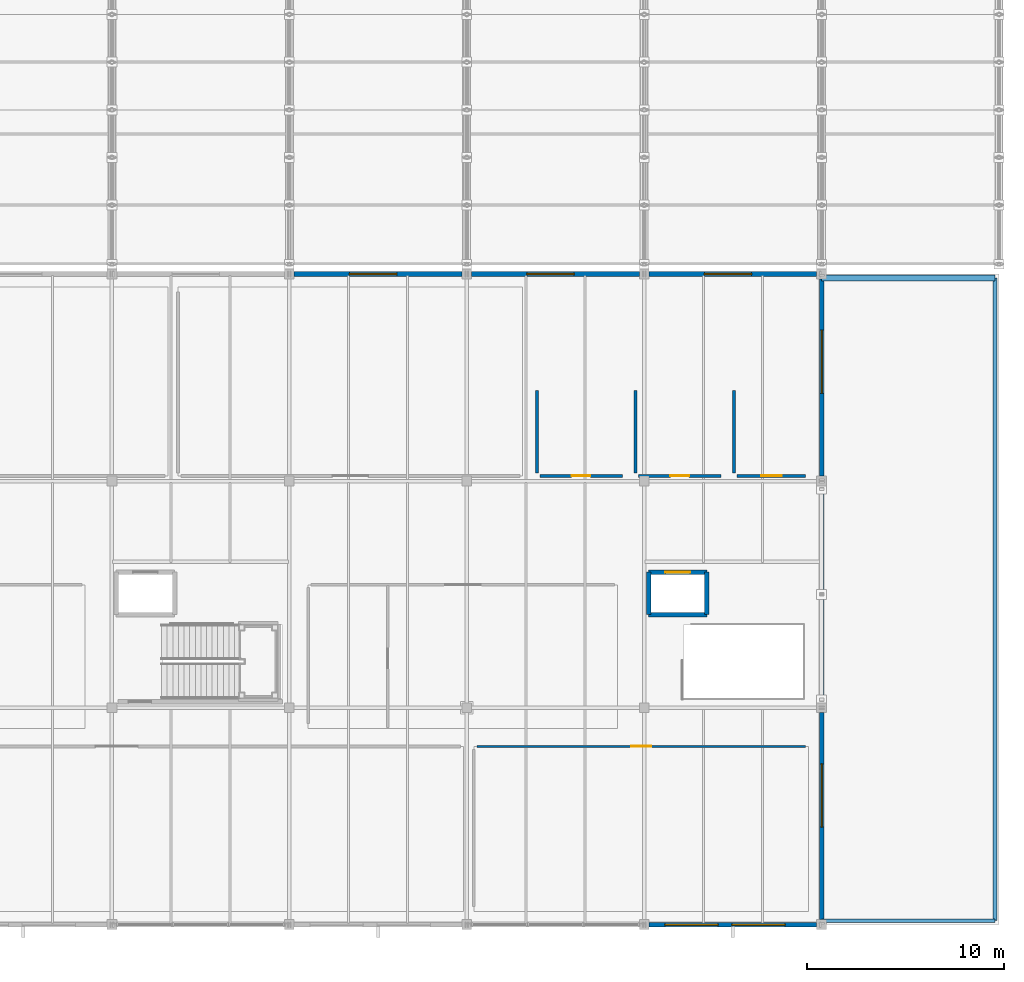
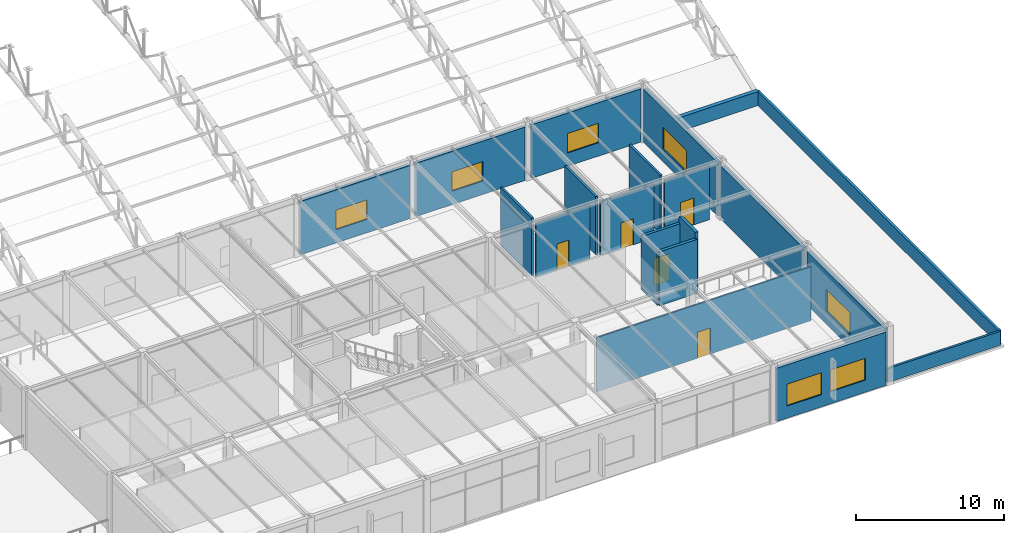
# One storey, part 114 of 195: 21 walls, 7 windows, 5 doors, 12 openings.
"""IFC4 building model written with IfcOpenShell, lengths in metres."""

from ifc_helpers import new_model, si_unit, direction, frame, frame_2d, origin, place, context, subcontext, project, spatial, rectangle, extrude, material, layer, layer_set, type_object, element, fill, save


model = new_model("IFC4")

# Units and contexts
model_context = context("Model", 3, precision=1e-05, world=origin(), true_north=direction((0.0, 1.0)))
body_context = subcontext(model_context, "Body", "Model", "MODEL_VIEW")
ifc_project = project(units=[si_unit("LENGTHUNIT", "METRE"), si_unit("AREAUNIT", "SQUARE_METRE"), si_unit("VOLUMEUNIT", "CUBIC_METRE"), si_unit("PLANEANGLEUNIT", "RADIAN"), si_unit("MASSUNIT", "GRAM", prefix="KILO")], contexts=[model_context])

# Site, building, storey
site_placement = place(None, origin())
site = spatial("IfcSite", under=ifc_project, at=site_placement, CompositionType="ELEMENT")
building_placement = place(site_placement, origin())
building = spatial("IfcBuilding", under=site, at=building_placement, Name="Marlcrest Central Station", CompositionType="ELEMENT")
storey_placement = place(building_placement, frame((0.0, 0.0, 9.800048828125)))
storey = spatial("IfcBuildingStorey", under=building, at=storey_placement, Name="L02", CompositionType="ELEMENT", Elevation=9.800048828125)

# Walls
ifc_material_1 = material(Name="Concrete C40/50", Category="concrete")
ifc_layer_1 = layer(ifc_material_1, 0.199951171875, Name="EP-01")
ifc_layer_set_1 = layer_set([ifc_layer_1], Name="Concrete C40/50")
wall_type_1 = type_object("IfcWallType", Name="EP-01", PredefinedType="PARAPET", material=ifc_layer_set_1)
wall_1_placement = place(storey_placement, frame((215.800048828125, 0.199951171875, 0.0), z_axis=(0.0, 0.0, 1.0), x_axis=(0.0, 1.0, 0.0)))
element("IfcWall", 1, at=wall_1_placement, inside=storey, type_object=wall_type_1, Name="ewall-L02-0095", PredefinedType="PARAPET", context=body_context, shape_type="SweptSolid", body=[
    extrude(rectangle(XDim=32.60009765625, YDim=0.199951171875, at=frame_2d((16.300048828125, 0.0))), origin(), (0.0, 0.0, 1.0), 1.14990234375),
])
ifc_material_2 = material(Name="Precast concrete C40/50", Category="concrete")
ifc_layer_2 = layer(ifc_material_2, 0.169921875, Name="EP-03")
ifc_layer_set_2 = layer_set([ifc_layer_2], Name="Precast concrete C40/50")
wall_type_2 = type_object("IfcWallType", Name="EP-03", PredefinedType="PARAPET", material=ifc_layer_set_2)
wall_2_placement = place(storey_placement, frame((207.0, 0.199951171875, 0.0), z_axis=(0.0, 0.0, 1.0), x_axis=(1.0, 0.0, 0.0)))
element("IfcWall", 2, at=wall_2_placement, inside=storey, type_object=wall_type_2, Name="ewall-L02-0094", PredefinedType="PARAPET", context=body_context, shape_type="SweptSolid", body=[
    extrude(rectangle(XDim=8.800048828125, YDim=0.169921875, at=frame_2d((4.39990234375, 0.0))), origin(), (0.0, 0.0, 1.0), 1.14990234375),
])
ifc_layer_3 = layer(ifc_material_2, 0.31005859375, Name="EP-04")
ifc_layer_set_3 = layer_set([ifc_layer_3], Name="Precast concrete C40/50")
wall_type_3 = type_object("IfcWallType", Name="EP-04", PredefinedType="PARAPET", material=ifc_layer_set_3)
wall_3_placement = place(storey_placement, frame((215.800048828125, 32.800048828125, 0.0), z_axis=(0.0, 0.0, 1.0), x_axis=(-1.0, 0.0, 0.0)))
element("IfcWall", 3, at=wall_3_placement, inside=storey, type_object=wall_type_3, Name="ewall-L02-0096", PredefinedType="PARAPET", context=body_context, shape_type="SweptSolid", body=[
    extrude(rectangle(XDim=8.800048828125, YDim=0.31005859375, at=frame_2d((4.39990234375, 0.0))), origin(), (0.0, 0.0, 1.0), 1.14990234375),
])

# Wall, opening, window
ifc_layer_4 = layer(ifc_material_2, 0.239990234375, Name="EW-04")
ifc_layer_set_4 = layer_set([ifc_layer_4], Name="Precast concrete C40/50")
wall_type_4 = type_object("IfcWallType", Name="EW-04", PredefinedType="SOLIDWALL", material=ifc_layer_set_4)
wall_4_placement = place(storey_placement, frame((180.25, 33.0, 0.0), z_axis=(0.0, 0.0, 1.0), x_axis=(1.0, 0.0, 0.0)))
wall_4 = element("IfcWall", 4, at=wall_4_placement, inside=storey, type_object=wall_type_4, Name="ewall-L02-0080", PredefinedType="SOLIDWALL", context=body_context, shape_type="SweptSolid", body=[
    extrude(rectangle(XDim=8.5, YDim=0.239990234375, at=frame_2d((4.25, 0.0))), origin(), (0.0, 0.0, 1.0), 4.389892578125),
])
opening_1_placement = place(wall_4_placement, frame((2.800048828125, 0.0, 1.10009765625)))
opening_1 = element("IfcOpeningElement", 5, at=opening_1_placement, cuts=wall_4, Name="Opening WN-02", PredefinedType="OPENING", context=body_context, shape_type="SweptSolid", body=[
    extrude(rectangle(XDim=2.39990234375, YDim=1.60009765625, at=frame_2d((1.199951171875, 0.800048828125))), frame((0.0, 0.1298828125, 0.0), z_axis=(0.0, -1.0, 0.0), x_axis=(1.0, 0.0, 0.0)), (0.0, 0.0, 1.0), 0.260009765625),
])
ifc_material_3 = material(Name="Thermally broken bronze-anodised aluminium and laminated low-E glass", Category="aluminium")
window_type_1 = type_object("IfcWindowType", Name="WN-02", PartitioningType="SINGLE_PANEL", PredefinedType="WINDOW", material=ifc_material_3)
window_1_placement = place(opening_1_placement, origin())
window_1 = element("IfcWindow", 6, at=window_1_placement, inside=storey, type_object=window_type_1, Name="ewin-L02-0045", OverallHeight=1.60009765625, OverallWidth=2.39990234375, PartitioningType="SINGLE_PANEL", PredefinedType="WINDOW", context=body_context, shape_type="SweptSolid", body=[
    extrude(rectangle(XDim=2.39990234375, YDim=1.60009765625, at=frame_2d((1.199951171875, 0.800048828125))), frame((0.0, 0.030029296875, 0.0), z_axis=(0.0, -1.0, 0.0), x_axis=(1.0, 0.0, 0.0)), (0.0, 0.0, 1.0), 0.06005859375),
])
fill(opening_1, window_1)

wall_5_placement = place(storey_placement, frame((189.25, 33.0, 0.0), z_axis=(0.0, 0.0, 1.0), x_axis=(1.0, 0.0, 0.0)))
wall_5 = element("IfcWall", 7, at=wall_5_placement, inside=storey, type_object=wall_type_4, Name="ewall-L02-0081", PredefinedType="SOLIDWALL", context=body_context, shape_type="SweptSolid", body=[
    extrude(rectangle(XDim=8.5, YDim=0.239990234375, at=frame_2d((4.25, 0.0))), origin(), (0.0, 0.0, 1.0), 4.389892578125),
])
opening_2_placement = place(wall_5_placement, frame((2.800048828125, 0.0, 1.10009765625)))
opening_2 = element("IfcOpeningElement", 8, at=opening_2_placement, cuts=wall_5, Name="Opening WN-02", PredefinedType="OPENING", context=body_context, shape_type="SweptSolid", body=[
    extrude(rectangle(XDim=2.39990234375, YDim=1.60009765625, at=frame_2d((1.199951171875, 0.800048828125))), frame((0.0, 0.1298828125, 0.0), z_axis=(0.0, -1.0, 0.0), x_axis=(1.0, 0.0, 0.0)), (0.0, 0.0, 1.0), 0.260009765625),
])
window_2_placement = place(opening_2_placement, origin())
window_2 = element("IfcWindow", 9, at=window_2_placement, inside=storey, type_object=window_type_1, Name="ewin-L02-0046", OverallHeight=1.60009765625, OverallWidth=2.39990234375, PartitioningType="SINGLE_PANEL", PredefinedType="WINDOW", context=body_context, shape_type="SweptSolid", body=[
    extrude(rectangle(XDim=2.39990234375, YDim=1.60009765625, at=frame_2d((1.199951171875, 0.800048828125))), frame((0.0, 0.030029296875, 0.0), z_axis=(0.0, -1.0, 0.0), x_axis=(1.0, 0.0, 0.0)), (0.0, 0.0, 1.0), 0.06005859375),
])
fill(opening_2, window_2)

# Wall, openings, windows
wall_6_placement = place(storey_placement, frame((206.75, 0.0, 0.0), z_axis=(0.0, 0.0, 1.0), x_axis=(-1.0, 0.0, 0.0)))
wall_6 = element("IfcWall", 10, at=wall_6_placement, inside=storey, type_object=wall_type_4, Name="ewall-L02-0082", PredefinedType="SOLIDWALL", context=body_context, shape_type="SweptSolid", body=[
    extrude(rectangle(XDim=8.5, YDim=0.239990234375, at=frame_2d((4.25, 0.0))), origin(), (0.0, 0.0, 1.0), 4.389892578125),
])
opening_3_placement = place(wall_6_placement, frame((1.60009765625, 0.0, 1.0)))
opening_3 = element("IfcOpeningElement", 11, at=opening_3_placement, cuts=wall_6, Name="Opening WN-06", PredefinedType="OPENING", context=body_context, shape_type="SweptSolid", body=[
    extrude(rectangle(XDim=2.699951171875, YDim=1.800048828125, at=frame_2d((1.35009765625, 0.89990234375))), frame((0.0, 0.1298828125, 0.0), z_axis=(0.0, -1.0, 0.0), x_axis=(1.0, 0.0, 0.0)), (0.0, 0.0, 1.0), 0.260009765625),
])
opening_4_placement = place(wall_6_placement, frame((5.0, 0.0, 1.0)))
opening_4 = element("IfcOpeningElement", 12, at=opening_4_placement, cuts=wall_6, Name="Opening WN-06", PredefinedType="OPENING", context=body_context, shape_type="SweptSolid", body=[
    extrude(rectangle(XDim=2.699951171875, YDim=1.800048828125, at=frame_2d((1.35009765625, 0.89990234375))), frame((0.0, 0.1298828125, 0.0), z_axis=(0.0, -1.0, 0.0), x_axis=(1.0, 0.0, 0.0)), (0.0, 0.0, 1.0), 0.260009765625),
])
window_type_2 = type_object("IfcWindowType", Name="WN-06", PartitioningType="SINGLE_PANEL", PredefinedType="WINDOW", material=ifc_material_3)
window_3_placement = place(opening_3_placement, origin())
window_3 = element("IfcWindow", 13, at=window_3_placement, inside=storey, type_object=window_type_2, Name="ewin-L02-0047", OverallHeight=1.800048828125, OverallWidth=2.699951171875, PartitioningType="SINGLE_PANEL", PredefinedType="WINDOW", context=body_context, shape_type="SweptSolid", body=[
    extrude(rectangle(XDim=2.699951171875, YDim=1.800048828125, at=frame_2d((1.35009765625, 0.89990234375))), frame((0.0, 0.030029296875, 0.0), z_axis=(0.0, -1.0, 0.0), x_axis=(1.0, 0.0, 0.0)), (0.0, 0.0, 1.0), 0.06005859375),
])
fill(opening_3, window_3)
window_4_placement = place(opening_4_placement, origin())
window_4 = element("IfcWindow", 14, at=window_4_placement, inside=storey, type_object=window_type_2, Name="ewin-L02-0048", OverallHeight=1.800048828125, OverallWidth=2.699951171875, PartitioningType="SINGLE_PANEL", PredefinedType="WINDOW", context=body_context, shape_type="SweptSolid", body=[
    extrude(rectangle(XDim=2.699951171875, YDim=1.800048828125, at=frame_2d((1.35009765625, 0.89990234375))), frame((0.0, 0.030029296875, 0.0), z_axis=(0.0, -1.0, 0.0), x_axis=(1.0, 0.0, 0.0)), (0.0, 0.0, 1.0), 0.06005859375),
])
fill(opening_4, window_4)

# Wall, opening, window
wall_7_placement = place(storey_placement, frame((198.25, 33.0, 0.0), z_axis=(0.0, 0.0, 1.0), x_axis=(1.0, 0.0, 0.0)))
wall_7 = element("IfcWall", 15, at=wall_7_placement, inside=storey, type_object=wall_type_4, Name="ewall-L02-0083", PredefinedType="SOLIDWALL", context=body_context, shape_type="SweptSolid", body=[
    extrude(rectangle(XDim=8.5, YDim=0.239990234375, at=frame_2d((4.25, 0.0))), origin(), (0.0, 0.0, 1.0), 4.389892578125),
])
opening_5_placement = place(wall_7_placement, frame((2.800048828125, 0.0, 1.10009765625)))
opening_5 = element("IfcOpeningElement", 16, at=opening_5_placement, cuts=wall_7, Name="Opening WN-02", PredefinedType="OPENING", context=body_context, shape_type="SweptSolid", body=[
    extrude(rectangle(XDim=2.39990234375, YDim=1.60009765625, at=frame_2d((1.199951171875, 0.800048828125))), frame((0.0, 0.1298828125, 0.0), z_axis=(0.0, -1.0, 0.0), x_axis=(1.0, 0.0, 0.0)), (0.0, 0.0, 1.0), 0.260009765625),
])
window_5_placement = place(opening_5_placement, origin())
window_5 = element("IfcWindow", 17, at=window_5_placement, inside=storey, type_object=window_type_1, Name="ewin-L02-0049", OverallHeight=1.60009765625, OverallWidth=2.39990234375, PartitioningType="SINGLE_PANEL", PredefinedType="WINDOW", context=body_context, shape_type="SweptSolid", body=[
    extrude(rectangle(XDim=2.39990234375, YDim=1.60009765625, at=frame_2d((1.199951171875, 0.800048828125))), frame((0.0, 0.030029296875, 0.0), z_axis=(0.0, -1.0, 0.0), x_axis=(1.0, 0.0, 0.0)), (0.0, 0.0, 1.0), 0.06005859375),
])
fill(opening_5, window_5)

wall_8_placement = place(storey_placement, frame((207.0, 10.75, 0.0), z_axis=(0.0, 0.0, 1.0), x_axis=(0.0, -1.0, 0.0)))
wall_8 = element("IfcWall", 18, at=wall_8_placement, inside=storey, type_object=wall_type_4, Name="ewall-L02-0085", PredefinedType="SOLIDWALL", context=body_context, shape_type="SweptSolid", body=[
    extrude(rectangle(XDim=10.5, YDim=0.239990234375, at=frame_2d((5.25, 0.0))), origin(), (0.0, 0.0, 1.0), 4.389892578125),
])
opening_6_placement = place(wall_8_placement, frame((2.60009765625, 0.0, 1.050048828125)))
opening_6 = element("IfcOpeningElement", 19, at=opening_6_placement, cuts=wall_8, Name="Opening WN-07", PredefinedType="OPENING", context=body_context, shape_type="SweptSolid", body=[
    extrude(rectangle(XDim=3.199951171875, YDim=1.800048828125, at=frame_2d((1.60009765625, 0.89990234375))), frame((0.0, 0.1298828125, 0.0), z_axis=(0.0, -1.0, 0.0), x_axis=(1.0, 0.0, 0.0)), (0.0, 0.0, 1.0), 0.260009765625),
])
window_type_3 = type_object("IfcWindowType", Name="WN-07", PartitioningType="SINGLE_PANEL", PredefinedType="WINDOW", material=ifc_material_3)
window_6_placement = place(opening_6_placement, origin())
window_6 = element("IfcWindow", 20, at=window_6_placement, inside=storey, type_object=window_type_3, Name="ewin-L02-0050", OverallHeight=1.800048828125, OverallWidth=3.199951171875, PartitioningType="SINGLE_PANEL", PredefinedType="WINDOW", context=body_context, shape_type="SweptSolid", body=[
    extrude(rectangle(XDim=3.199951171875, YDim=1.800048828125, at=frame_2d((1.60009765625, 0.89990234375))), frame((0.0, 0.030029296875, 0.0), z_axis=(0.0, -1.0, 0.0), x_axis=(1.0, 0.0, 0.0)), (0.0, 0.0, 1.0), 0.06005859375),
])
fill(opening_6, window_6)

# Wall
wall_9_placement = place(storey_placement, frame((207.0, 22.25, 0.0), z_axis=(0.0, 0.0, 1.0), x_axis=(0.0, -1.0, 0.0)))
element("IfcWall", 21, at=wall_9_placement, inside=storey, type_object=wall_type_4, Name="ewall-L02-0087", PredefinedType="SOLIDWALL", context=body_context, shape_type="SweptSolid", body=[
    extrude(rectangle(XDim=11.0, YDim=0.239990234375, at=frame_2d((5.5, 0.0))), origin(), (0.0, 0.0, 1.0), 4.389892578125),
])

# Wall, opening, window
wall_10_placement = place(storey_placement, frame((207.0, 32.75, 0.0), z_axis=(0.0, 0.0, 1.0), x_axis=(0.0, -1.0, 0.0)))
wall_10 = element("IfcWall", 22, at=wall_10_placement, inside=storey, type_object=wall_type_4, Name="ewall-L02-0089", PredefinedType="SOLIDWALL", context=body_context, shape_type="SweptSolid", body=[
    extrude(rectangle(XDim=10.0, YDim=0.239990234375, at=frame_2d((5.0, 0.0))), origin(), (0.0, 0.0, 1.0), 4.389892578125),
])
opening_7_placement = place(wall_10_placement, frame((2.60009765625, 0.0, 1.050048828125)))
opening_7 = element("IfcOpeningElement", 23, at=opening_7_placement, cuts=wall_10, Name="Opening WN-07", PredefinedType="OPENING", context=body_context, shape_type="SweptSolid", body=[
    extrude(rectangle(XDim=3.199951171875, YDim=1.800048828125, at=frame_2d((1.60009765625, 0.89990234375))), frame((0.0, 0.1298828125, 0.0), z_axis=(0.0, -1.0, 0.0), x_axis=(1.0, 0.0, 0.0)), (0.0, 0.0, 1.0), 0.260009765625),
])
window_7_placement = place(opening_7_placement, origin())
window_7 = element("IfcWindow", 24, at=window_7_placement, inside=storey, type_object=window_type_3, Name="ewin-L02-0052", OverallHeight=1.800048828125, OverallWidth=3.199951171875, PartitioningType="SINGLE_PANEL", PredefinedType="WINDOW", context=body_context, shape_type="SweptSolid", body=[
    extrude(rectangle(XDim=3.199951171875, YDim=1.800048828125, at=frame_2d((1.60009765625, 0.89990234375))), frame((0.0, 0.030029296875, 0.0), z_axis=(0.0, -1.0, 0.0), x_axis=(1.0, 0.0, 0.0)), (0.0, 0.0, 1.0), 0.06005859375),
])
fill(opening_7, window_7)

# Wall, opening, door
ifc_material_4 = material(Name="Acoustic steel-stud gypsum board partition", Category="steel")
ifc_layer_5 = layer(ifc_material_4, 0.1201171875, Name="PT-01")
ifc_layer_set_5 = layer_set([ifc_layer_5], Name="Acoustic steel-stud gypsum board partition")
wall_type_5 = type_object("IfcWallType", Name="PT-01", PredefinedType="PARTITIONING", material=ifc_layer_set_5)
wall_11_placement = place(storey_placement, frame((189.510009765625, 9.0400390625, 0.0), z_axis=(0.0, 0.0, 1.0), x_axis=(1.0, 0.0, 0.0)))
wall_11 = element("IfcWall", 25, at=wall_11_placement, inside=storey, type_object=wall_type_5, Name="iwall-L02-00135", PredefinedType="PARTITIONING", context=body_context, shape_type="SweptSolid", body=[
    extrude(rectangle(XDim=16.679931640625, YDim=0.1201171875, at=frame_2d((8.33984375, 0.0))), origin(), (0.0, 0.0, 1.0), 4.43994140625),
])
opening_8_placement = place(wall_11_placement, frame((7.840087890625, 0.0, 0.0)))
opening_8 = element("IfcOpeningElement", 26, at=opening_8_placement, cuts=wall_11, Name="Opening ID-02", PredefinedType="OPENING", context=body_context, shape_type="SweptSolid", body=[
    extrude(rectangle(XDim=1.0, YDim=2.14990234375, at=frame_2d((0.5, 1.074951171875))), frame((0.0, 0.070068359375, 0.0), z_axis=(0.0, -1.0, 0.0), x_axis=(1.0, 0.0, 0.0)), (0.0, 0.0, 1.0), 0.14013671875),
])
ifc_material_5 = material(Name="Solid-core hardwood office door", Category="wood")
door_type_1 = type_object("IfcDoorType", Name="ID-02", OperationType="NOTDEFINED", PredefinedType="DOOR", material=ifc_material_5)
door_1_placement = place(opening_8_placement, origin())
door_1 = element("IfcDoor", 27, at=door_1_placement, inside=storey, type_object=door_type_1, Name="L02-V4B 0077", OperationType="SINGLE_SWING_LEFT", OverallHeight=2.14990234375, OverallWidth=1.0, PredefinedType="DOOR", context=body_context, shape_type="SweptSolid", body=[
    extrude(rectangle(XDim=1.0, YDim=2.14990234375, at=frame_2d((0.5, 1.074951171875))), frame((0.0, 0.02490234375, 0.0), z_axis=(0.0, -1.0, 0.0), x_axis=(1.0, 0.0, 0.0)), (0.0, 0.0, 1.0), 0.050048828125),
])
fill(opening_8, door_1)

ifc_material_6 = material(Name="Moisture-resistant tiled sanitary partition")
ifc_layer_6 = layer(ifc_material_6, 0.159912109375, Name="PT-03")
ifc_layer_set_6 = layer_set([ifc_layer_6], Name="Moisture-resistant tiled sanitary partition")
wall_type_6 = type_object("IfcWallType", Name="PT-03", PredefinedType="PARTITIONING", material=ifc_layer_set_6)
wall_12_placement = place(storey_placement, frame((196.889892578125, 22.760009765625, 0.0), z_axis=(0.0, 0.0, 1.0), x_axis=(-1.0, 0.0, 0.0)))
wall_12 = element("IfcWall", 28, at=wall_12_placement, inside=storey, type_object=wall_type_6, Name="iwall-L02-00140", PredefinedType="PARTITIONING", context=body_context, shape_type="SweptSolid", body=[
    extrude(rectangle(XDim=4.179931640625, YDim=0.159912109375, at=frame_2d((2.08984375, 0.0))), origin(), (0.0, 0.0, 1.0), 4.43994140625),
])
opening_9_placement = place(wall_12_placement, frame((1.614990234375, 0.0, 0.0)))
opening_9 = element("IfcOpeningElement", 29, at=opening_9_placement, cuts=wall_12, Name="Opening ID-01", PredefinedType="OPENING", context=body_context, shape_type="SweptSolid", body=[
    extrude(rectangle(XDim=0.949951171875, YDim=2.14990234375, at=frame_2d((0.47509765625, 1.074951171875))), frame((0.0, 0.08984375, 0.0), z_axis=(0.0, -1.0, 0.0), x_axis=(1.0, 0.0, 0.0)), (0.0, 0.0, 1.0), 0.179931640625),
])
ifc_material_7 = material(Name="Solid-core hardwood acoustic door", Category="wood")
door_type_2 = type_object("IfcDoorType", Name="ID-01", OperationType="NOTDEFINED", PredefinedType="DOOR", material=ifc_material_7)
door_2_placement = place(opening_9_placement, origin())
door_2 = element("IfcDoor", 30, at=door_2_placement, inside=storey, type_object=door_type_2, Name="L02-WC-E1 0080", OperationType="SINGLE_SWING_RIGHT", OverallHeight=2.14990234375, OverallWidth=0.949951171875, PredefinedType="DOOR", context=body_context, shape_type="SweptSolid", body=[
    extrude(rectangle(XDim=0.949951171875, YDim=2.14990234375, at=frame_2d((0.47509765625, 1.074951171875))), frame((0.0, 0.02490234375, 0.0), z_axis=(0.0, -1.0, 0.0), x_axis=(1.0, 0.0, 0.0)), (0.0, 0.0, 1.0), 0.050048828125),
])
fill(opening_9, door_2)

# Wall
wall_13_placement = place(storey_placement, frame((192.56005859375, 22.909912109375, 0.0), z_axis=(0.0, 0.0, 1.0), x_axis=(0.0, 1.0, 0.0)))
element("IfcWall", 31, at=wall_13_placement, inside=storey, type_object=wall_type_6, Name="iwall-L02-00141", PredefinedType="PARTITIONING", context=body_context, shape_type="SweptSolid", body=[
    extrude(rectangle(XDim=4.18017578125, YDim=0.159912109375, at=frame_2d((2.090087890625, 0.0))), origin(), (0.0, 0.0, 1.0), 4.800048828125),
])

# Wall, opening, door
wall_14_placement = place(storey_placement, frame((201.889892578125, 22.760009765625, 0.0), z_axis=(0.0, 0.0, 1.0), x_axis=(-1.0, 0.0, 0.0)))
wall_14 = element("IfcWall", 32, at=wall_14_placement, inside=storey, type_object=wall_type_6, Name="iwall-L02-00142", PredefinedType="PARTITIONING", context=body_context, shape_type="SweptSolid", body=[
    extrude(rectangle(XDim=4.179931640625, YDim=0.159912109375, at=frame_2d((2.08984375, 0.0))), origin(), (0.0, 0.0, 1.0), 4.43994140625),
])
opening_10_placement = place(wall_14_placement, frame((1.614990234375, 0.0, 0.0)))
opening_10 = element("IfcOpeningElement", 33, at=opening_10_placement, cuts=wall_14, Name="Opening ID-01", PredefinedType="OPENING", context=body_context, shape_type="SweptSolid", body=[
    extrude(rectangle(XDim=0.949951171875, YDim=2.14990234375, at=frame_2d((0.47509765625, 1.074951171875))), frame((0.0, 0.08984375, 0.0), z_axis=(0.0, -1.0, 0.0), x_axis=(1.0, 0.0, 0.0)), (0.0, 0.0, 1.0), 0.179931640625),
])
door_3_placement = place(opening_10_placement, origin())
door_3 = element("IfcDoor", 34, at=door_3_placement, inside=storey, type_object=door_type_2, Name="L02-WC-E2 0081", OperationType="SINGLE_SWING_LEFT", OverallHeight=2.14990234375, OverallWidth=0.949951171875, PredefinedType="DOOR", context=body_context, shape_type="SweptSolid", body=[
    extrude(rectangle(XDim=0.949951171875, YDim=2.14990234375, at=frame_2d((0.47509765625, 1.074951171875))), frame((0.0, 0.02490234375, 0.0), z_axis=(0.0, -1.0, 0.0), x_axis=(1.0, 0.0, 0.0)), (0.0, 0.0, 1.0), 0.050048828125),
])
fill(opening_10, door_3)

# Wall
wall_15_placement = place(storey_placement, frame((197.56005859375, 22.909912109375, 0.0), z_axis=(0.0, 0.0, 1.0), x_axis=(0.0, 1.0, 0.0)))
element("IfcWall", 35, at=wall_15_placement, inside=storey, type_object=wall_type_6, Name="iwall-L02-00143", PredefinedType="PARTITIONING", context=body_context, shape_type="SweptSolid", body=[
    extrude(rectangle(XDim=4.18017578125, YDim=0.159912109375, at=frame_2d((2.090087890625, 0.0))), origin(), (0.0, 0.0, 1.0), 4.800048828125),
])

# Wall, opening, door
wall_16_placement = place(storey_placement, frame((206.18994140625, 22.760009765625, 0.0), z_axis=(0.0, 0.0, 1.0), x_axis=(-1.0, 0.0, 0.0)))
wall_16 = element("IfcWall", 36, at=wall_16_placement, inside=storey, type_object=wall_type_6, Name="iwall-L02-00144", PredefinedType="PARTITIONING", context=body_context, shape_type="SweptSolid", body=[
    extrude(rectangle(XDim=3.47998046875, YDim=0.159912109375, at=frame_2d((1.739990234375, 0.0))), origin(), (0.0, 0.0, 1.0), 4.43994140625),
])
opening_11_placement = place(wall_16_placement, frame((1.215087890625, 0.0, 0.0)))
opening_11 = element("IfcOpeningElement", 37, at=opening_11_placement, cuts=wall_16, Name="Opening ID-03", PredefinedType="OPENING", context=body_context, shape_type="SweptSolid", body=[
    extrude(rectangle(XDim=1.050048828125, YDim=2.199951171875, at=frame_2d((0.52490234375, 1.10009765625))), frame((0.0, 0.08984375, 0.0), z_axis=(0.0, -1.0, 0.0), x_axis=(1.0, 0.0, 0.0)), (0.0, 0.0, 1.0), 0.179931640625),
])
ifc_material_8 = material(Name="Accessible sanitary outward-opening door")
door_type_3 = type_object("IfcDoorType", Name="ID-03", OperationType="NOTDEFINED", PredefinedType="DOOR", material=ifc_material_8)
door_4_placement = place(opening_11_placement, origin())
door_4 = element("IfcDoor", 38, at=door_4_placement, inside=storey, type_object=door_type_3, Name="L02-WC-EA 0082", OperationType="SINGLE_SWING_RIGHT", OverallHeight=2.199951171875, OverallWidth=1.050048828125, PredefinedType="DOOR", context=body_context, shape_type="SweptSolid", body=[
    extrude(rectangle(XDim=1.050048828125, YDim=2.199951171875, at=frame_2d((0.52490234375, 1.10009765625))), frame((0.0, 0.02490234375, 0.0), z_axis=(0.0, -1.0, 0.0), x_axis=(1.0, 0.0, 0.0)), (0.0, 0.0, 1.0), 0.050048828125),
])
fill(opening_11, door_4)

# Wall
wall_17_placement = place(storey_placement, frame((202.56005859375, 22.909912109375, 0.0), z_axis=(0.0, 0.0, 1.0), x_axis=(0.0, 1.0, 0.0)))
element("IfcWall", 39, at=wall_17_placement, inside=storey, type_object=wall_type_6, Name="iwall-L02-00145", PredefinedType="PARTITIONING", context=body_context, shape_type="SweptSolid", body=[
    extrude(rectangle(XDim=4.18017578125, YDim=0.159912109375, at=frame_2d((2.090087890625, 0.0))), origin(), (0.0, 0.0, 1.0), 4.800048828125),
])

# Wall, opening, door
ifc_layer_7 = layer(ifc_material_1, 0.22998046875, Name="SHW-01")
ifc_layer_set_7 = layer_set([ifc_layer_7], Name="Concrete C40/50")
wall_type_7 = type_object("IfcWallType", Name="SHW-01", PredefinedType="SOLIDWALL", material=ifc_layer_set_7)
wall_18_placement = place(storey_placement, frame((198.219970703125, 17.8798828125, 0.0), z_axis=(0.0, 0.0, 1.0), x_axis=(1.0, 0.0, 0.0)))
wall_18 = element("IfcWall", 40, at=wall_18_placement, inside=storey, type_object=wall_type_7, Name="iwall-L02-00339", PredefinedType="SOLIDWALL", context=body_context, shape_type="SweptSolid", body=[
    extrude(rectangle(XDim=2.9599609375, YDim=0.22998046875, at=frame_2d((1.47998046875, 0.0))), origin(), (0.0, 0.0, 1.0), 4.43994140625),
])
opening_12_placement = place(wall_18_placement, frame((0.85498046875, 0.0, 0.0)))
opening_12 = element("IfcOpeningElement", 41, at=opening_12_placement, cuts=wall_18, Name="Opening LD-02", PredefinedType="OPENING", context=body_context, shape_type="SweptSolid", body=[
    extrude(rectangle(XDim=1.25, YDim=2.199951171875, at=frame_2d((0.625, 1.10009765625))), frame((0.0, 0.125, 0.0), z_axis=(0.0, -1.0, 0.0), x_axis=(1.0, 0.0, 0.0)), (0.0, 0.0, 1.0), 0.25),
])
ifc_material_9 = material(Name="Stainless steel stretcher/firefighting lift landing door", Category="steel")
door_type_4 = type_object("IfcDoorType", Name="LD-02", OperationType="DOUBLE_DOOR_SLIDING", PredefinedType="DOOR", material=ifc_material_9)
door_5_placement = place(opening_12_placement, origin())
door_5 = element("IfcDoor", 42, at=door_5_placement, inside=storey, type_object=door_type_4, Name="LF-R2 Lift Landing Door 0155", OperationType="DOUBLE_DOOR_SLIDING", OverallHeight=2.199951171875, OverallWidth=1.25, PredefinedType="DOOR", context=body_context, shape_type="SweptSolid", body=[
    extrude(rectangle(XDim=1.25, YDim=2.199951171875, at=frame_2d((0.625, 1.10009765625))), frame((0.0, 0.02490234375, 0.0), z_axis=(0.0, -1.0, 0.0), x_axis=(1.0, 0.0, 0.0)), (0.0, 0.0, 1.0), 0.050048828125),
])
fill(opening_12, door_5)

# Walls
wall_19_placement = place(storey_placement, frame((201.179931640625, 15.719970703125, 0.0), z_axis=(0.0, 0.0, 1.0), x_axis=(-1.0, 0.0, 0.0)))
element("IfcWall", 43, at=wall_19_placement, inside=storey, type_object=wall_type_7, Name="iwall-L02-00340", PredefinedType="SOLIDWALL", context=body_context, shape_type="SweptSolid", body=[
    extrude(rectangle(XDim=2.9599609375, YDim=0.22998046875, at=frame_2d((1.47998046875, 0.0))), origin(), (0.0, 0.0, 1.0), 4.43994140625),
])
wall_20_placement = place(storey_placement, frame((198.219970703125, 15.719970703125, 0.0), z_axis=(0.0, 0.0, 1.0), x_axis=(0.0, 1.0, 0.0)))
element("IfcWall", 44, at=wall_20_placement, inside=storey, type_object=wall_type_7, Name="iwall-L02-00341", PredefinedType="SOLIDWALL", context=body_context, shape_type="SweptSolid", body=[
    extrude(rectangle(XDim=2.159912109375, YDim=0.22998046875, at=frame_2d((1.080078125, 0.0))), origin(), (0.0, 0.0, 1.0), 4.43994140625),
])
wall_21_placement = place(storey_placement, frame((201.179931640625, 17.8798828125, 0.0), z_axis=(0.0, 0.0, 1.0), x_axis=(0.0, -1.0, 0.0)))
element("IfcWall", 45, at=wall_21_placement, inside=storey, type_object=wall_type_7, Name="iwall-L02-00342", PredefinedType="SOLIDWALL", context=body_context, shape_type="SweptSolid", body=[
    extrude(rectangle(XDim=2.159912109375, YDim=0.22998046875, at=frame_2d((1.080078125, 0.0))), origin(), (0.0, 0.0, 1.0), 4.9599609375),
])

save(model, "model.ifc")
